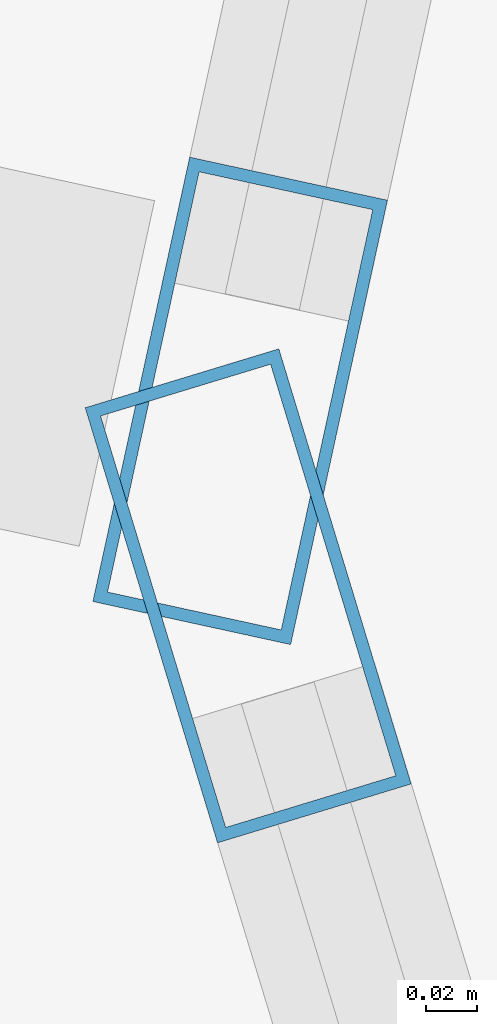
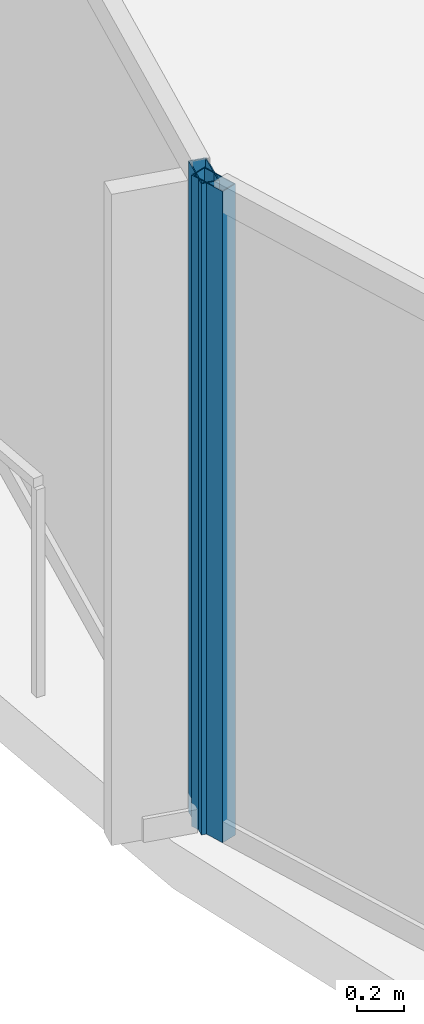
# One storey, part 8 of 34: 2 members, 2 elements without a shape of their own.
"""IFC4 building model written with IfcOpenShell, lengths in metres."""

from ifc_helpers import new_model, si_unit, direction, frame, origin, origin_2d, place, context, subcontext, project, spatial, hollow_rectangle, extrude, material, layer, layer_set, material_profile, profile_set, type_object, element, aggregate, save


model = new_model("IFC4")

# Units and contexts
model_context = context("Model", 3, precision=1e-05, world=origin(), true_north=direction((0.0, 1.0)))
body_context = subcontext(model_context, "Body", "Model", "MODEL_VIEW")
ifc_project = project(units=[si_unit("LENGTHUNIT", "METRE"), si_unit("AREAUNIT", "SQUARE_METRE"), si_unit("VOLUMEUNIT", "CUBIC_METRE"), si_unit("PLANEANGLEUNIT", "RADIAN"), si_unit("MASSUNIT", "GRAM", prefix="KILO")], contexts=[model_context])

# Site, building, storey
site_placement = place(None, origin())
site = spatial("IfcSite", under=ifc_project, at=site_placement, CompositionType="ELEMENT")
building_placement = place(site_placement, origin())
building = spatial("IfcBuilding", under=site, at=building_placement, Name="Kazevale Care Tower and Concert Hall", CompositionType="ELEMENT")
storey_placement = place(building_placement, frame((0.0, 0.0, 160.199951171875)))
storey = spatial("IfcBuildingStorey", under=building, at=storey_placement, Name="L42", CompositionType="ELEMENT", Elevation=160.199951171875)

# Curtain wall, member
ifc_material_1 = material(Name="Aluminium 6063-T6 and Low-E Glass", Category="aluminium")
ifc_layer = layer(ifc_material_1, 0.179931640625)
ifc_layer_set = layer_set([ifc_layer], Name="Aluminium 6063-T6 and Low-E Glass")
curtain_wall_type = type_object("IfcCurtainWallType", Name="Waist & Upper Residential Curtain Wall CW-4", PredefinedType="NOTDEFINED", material=ifc_layer_set)
curtain_wall_1_placement = place(storey_placement, origin())
curtain_wall_1 = element("IfcCurtainWall", 1, at=curtain_wall_1_placement, inside=storey, type_object=curtain_wall_type, Name="cw:L42:f12", PredefinedType="NOTDEFINED")
ifc_material_2 = material(Name="Aluminium 6063-T6", Category="aluminium")
ifc_material_profile = material_profile(ifc_material_2, hollow_rectangle(XDim=0.080078125, YDim=0.179931640625, WallThickness=0.0048828125, at=origin_2d()), Name="ALU80x180x5")
ifc_profile_set = profile_set([ifc_material_profile], Name="Aluminium 6063-T6")
member_type = type_object("IfcMemberType", Name="CW-4 Mullion ALU80x180x5", PredefinedType="MULLION", material=ifc_profile_set)
member_1_placement = place(storey_placement, frame((11.006591796875, 34.98583984375, 0.0), z_axis=(0.0, 0.0, 1.0), x_axis=(-0.956729897234, -0.290977496961, 0.0)))
member_1 = element("IfcMember", 2, at=member_1_placement, type_object=member_type, Name="CW-4 mullion 2", PredefinedType="MULLION", context=body_context, shape_type="SweptSolid", body=[
    extrude(hollow_rectangle(XDim=0.080078125, YDim=0.179931640625, WallThickness=0.0048828125, at=origin_2d()), origin(), (0.0, 0.0, 1.0), 3.360107421875),
])
aggregate(curtain_wall_1, [member_1])

curtain_wall_2_placement = place(storey_placement, origin())
curtain_wall_2 = element("IfcCurtainWall", 3, at=curtain_wall_2_placement, inside=storey, type_object=curtain_wall_type, Name="cw:L42:f13", PredefinedType="NOTDEFINED")
member_2_placement = place(storey_placement, frame((11.00341796875, 35.06298828125, 0.0), z_axis=(0.0, 0.0, 1.0), x_axis=(-0.977090755849, 0.21282305992, 0.0)))
member_2 = element("IfcMember", 4, at=member_2_placement, type_object=member_type, Name="CW-4 mullion 1", PredefinedType="MULLION", context=body_context, shape_type="SweptSolid", body=[
    extrude(hollow_rectangle(XDim=0.080078125, YDim=0.179931640625, WallThickness=0.0048828125, at=origin_2d()), origin(), (0.0, 0.0, 1.0), 3.360107421875),
])
aggregate(curtain_wall_2, [member_2])

save(model, "model.ifc")
